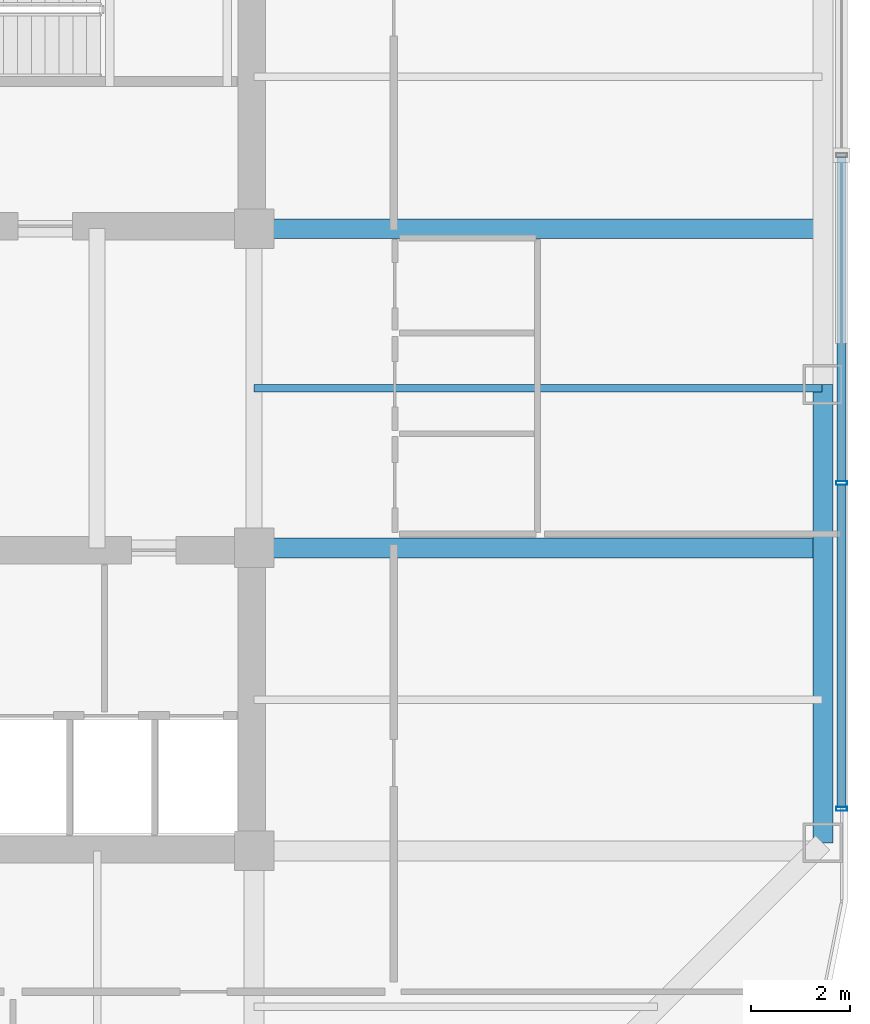
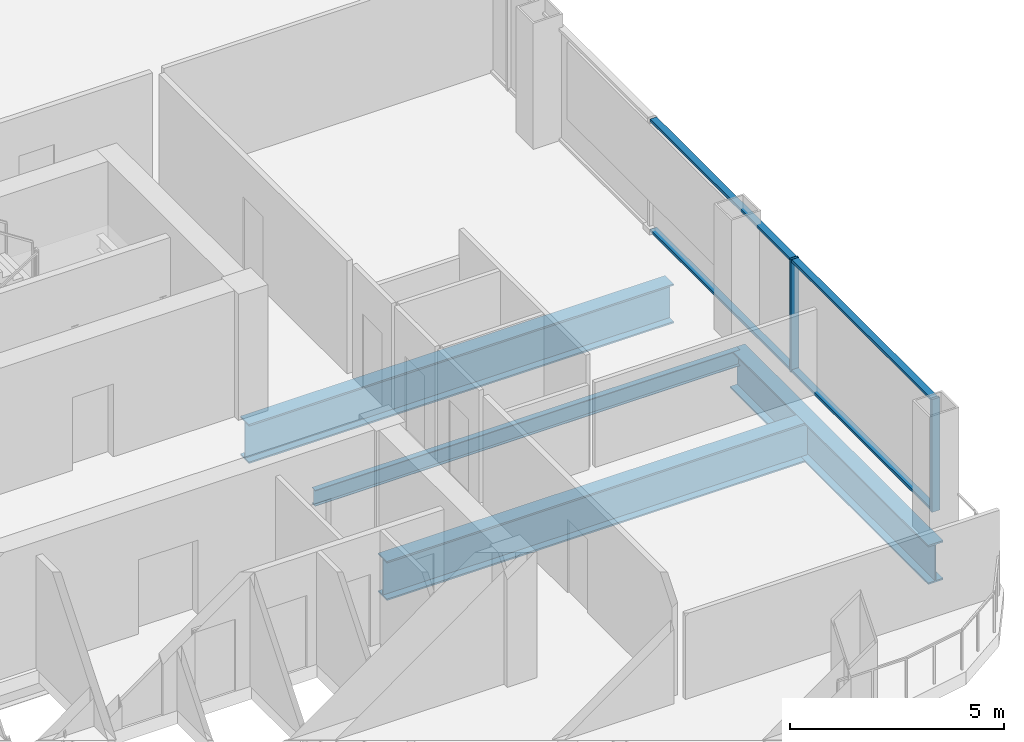
# One storey, part 7 of 20: 6 members, 4 beams, 1 element without a shape of its own.
"""IFC4 building model written with IfcOpenShell, lengths in metres."""

from ifc_helpers import new_model, si_unit, direction, frame, origin, origin_2d, place, context, subcontext, project, spatial, hollow_rectangle, i_section, extrude, material, layer, layer_set, material_profile, profile_set, type_object, element, aggregate, save


model = new_model("IFC4")

# Units and contexts
model_context = context("Model", 3, precision=1e-05, world=origin(), true_north=direction((0.0, 1.0)))
body_context = subcontext(model_context, "Body", "Model", "MODEL_VIEW")
ifc_project = project(units=[si_unit("LENGTHUNIT", "METRE"), si_unit("AREAUNIT", "SQUARE_METRE"), si_unit("VOLUMEUNIT", "CUBIC_METRE"), si_unit("PLANEANGLEUNIT", "RADIAN"), si_unit("MASSUNIT", "GRAM", prefix="KILO")], contexts=[model_context])

# Site, building, storey
site_placement = place(None, origin())
site = spatial("IfcSite", under=ifc_project, at=site_placement, CompositionType="ELEMENT")
building_placement = place(site_placement, origin())
building = spatial("IfcBuilding", under=site, at=building_placement, Name="Qhalaya Broadcast Tower", CompositionType="ELEMENT")
storey_placement = place(building_placement, frame((0.0, 0.0, 104.85009765625)))
storey = spatial("IfcBuildingStorey", under=building, at=storey_placement, Name="L30", CompositionType="ELEMENT", Elevation=104.85009765625)

# Beams
ifc_material_1 = material(Name="Structural Steel ASTM A992 Grade 50", Category="steel")
ifc_material_profile_1 = material_profile(ifc_material_1, i_section(OverallWidth=0.154052734375, OverallDepth=0.458984375, WebThickness=0.009033203125, FlangeThickness=0.015380859375, at=origin_2d()), Name="W18X46")
ifc_profile_set_1 = profile_set([ifc_material_profile_1], Name="Structural Steel ASTM A992 Grade 50")
beam_type_1 = type_object("IfcBeamType", Name="Composite Floor Joist J04", PredefinedType="JOIST", material=ifc_profile_set_1)
beam_1_placement = place(storey_placement, frame((9.375, 0.60009765625, -0.609619140625), z_axis=(1.0, 0.0, 0.0), x_axis=(0.0, 1.0, 0.0)))
element("IfcBeam", 1, at=beam_1_placement, inside=storey, type_object=beam_type_1, Name="L30 J04 L30-JWE4E-1", PredefinedType="JOIST", context=body_context, shape_type="SweptSolid", body=[
    extrude(i_section(OverallWidth=0.154052734375, OverallDepth=0.458984375, WebThickness=0.009033203125, FlangeThickness=0.015380859375, at=origin_2d()), origin(), (0.0, 0.0, 1.0), 11.47509765625),
])
ifc_material_profile_2 = material_profile(ifc_material_1, i_section(OverallWidth=0.404052734375, OverallDepth=1.117919921875, WebThickness=0.026123046875, FlangeThickness=0.044921875, at=origin_2d()), Name="W44X335")
ifc_profile_set_2 = profile_set([ifc_material_profile_2], Name="Structural Steel ASTM A992 Grade 50")
beam_type_2 = type_object("IfcBeamType", Name="Podium Long-Span Primary Girder PG1", PredefinedType="USERDEFINED", material=ifc_profile_set_2)
beam_2_placement = place(storey_placement, frame((20.8701171875, -8.590087890625, -0.939208984375), z_axis=(0.0, 1.0, 0.0), x_axis=(-1.0, 0.0, 0.0)))
element("IfcBeam", 2, at=beam_2_placement, inside=storey, type_object=beam_type_2, Name="L30 PG1 L30-SPR-05", ObjectType="GIRDER", PredefinedType="USERDEFINED", context=body_context, shape_type="SweptSolid", body=[
    extrude(i_section(OverallWidth=0.404052734375, OverallDepth=1.117919921875, WebThickness=0.026123046875, FlangeThickness=0.044921875, at=origin_2d()), origin(), (0.0, 0.0, 1.0), 9.266845703125),
])
for number, where, z_axis, x_axis, name in (
    (3, (9.375, -2.625, -0.939208984375), (1.0, 0.0, 0.0), (0.0, 1.0, 0.0), "L30 PG1 L30-PGYE2-1"),
    (4, (9.375, 3.824951171875, -0.939208984375), (1.0, 0.0, 0.0), (0.0, 1.0, 0.0), "L30 PG1 L30-PGYE3-1"),
):
    element("IfcBeam", number, at=place(storey_placement, frame(where, z_axis=z_axis, x_axis=x_axis)), inside=storey, type_object=beam_type_2, Name=name, ObjectType="GIRDER", PredefinedType="USERDEFINED", context=body_context, shape_type="SweptSolid", body=[
        extrude(i_section(OverallWidth=0.404052734375, OverallDepth=1.117919921875, WebThickness=0.026123046875, FlangeThickness=0.044921875, at=origin_2d()), origin(), (0.0, 0.0, 1.0), 11.47509765625),
    ])

# Curtain wall, members
ifc_material_2 = material(Name="Solar-Control Low-E Triple Glazing", Category="glass")
ifc_layer = layer(ifc_material_2, 0.219970703125, Name="Solar-Control Low-E Triple Glazing")
ifc_layer_set = layer_set([ifc_layer], Name="Solar-Control Low-E Triple Glazing")
curtain_wall_type = type_object("IfcCurtainWallType", Name="Recessed Sky-Garden Neck Ribbon Curtain Wall CW-05", PredefinedType="NOTDEFINED", material=ifc_layer_set)
curtain_wall_placement = place(storey_placement, origin())
curtain_wall = element("IfcCurtainWall", 5, at=curtain_wall_placement, inside=storey, type_object=curtain_wall_type, Name="L30 Unitised Curtain Wall L30-CW-E", PredefinedType="NOTDEFINED")
ifc_material_3 = material(Name="Anodised Aluminium 6063-T6", Category="aluminium")
ifc_material_profile_3 = material_profile(ifc_material_3, hollow_rectangle(XDim=0.074951171875, YDim=0.219970703125, WallThickness=0.00390625, at=origin_2d()), Name="ALU-MUL 75x220x4")
ifc_profile_set_3 = profile_set([ifc_material_profile_3], Name="Anodised Aluminium 6063-T6")
member_type_1 = type_object("IfcMemberType", Name="Unitised Curtain-Wall Mullion M01", PredefinedType="MULLION", material=ifc_profile_set_3)
member_1_placement = place(storey_placement, frame((21.25, -7.902587890625, 0.0), z_axis=(0.0, 0.0, 1.0), x_axis=(0.0, 1.0, 0.0)))
member_1 = element("IfcMember", 6, at=member_1_placement, type_object=member_type_1, Name="CW-05 mullion 1", PredefinedType="MULLION", context=body_context, shape_type="SweptSolid", body=[
    extrude(hollow_rectangle(XDim=0.074951171875, YDim=0.219970703125, WallThickness=0.00390625, at=origin_2d()), origin(), (0.0, 0.0, 1.0), 3.219970703125),
])
member_2_placement = place(storey_placement, frame((21.25, -1.31494140625, 0.0), z_axis=(0.0, 0.0, 1.0), x_axis=(0.0, 1.0, 0.0)))
member_2 = element("IfcMember", 7, at=member_2_placement, type_object=member_type_1, Name="CW-05 mullion 2", PredefinedType="MULLION", context=body_context, shape_type="SweptSolid", body=[
    extrude(hollow_rectangle(XDim=0.074951171875, YDim=0.219970703125, WallThickness=0.00390625, at=origin_2d()), origin(), (0.0, 0.0, 1.0), 3.219970703125),
])
ifc_material_profile_4 = material_profile(ifc_material_3, hollow_rectangle(XDim=0.074951171875, YDim=0.179931640625, WallThickness=0.00390625, at=origin_2d()), Name="ALU-TRN 75x180x4")
ifc_profile_set_4 = profile_set([ifc_material_profile_4], Name="Anodised Aluminium 6063-T6")
member_type_2 = type_object("IfcMemberType", Name="Unitised Curtain-Wall Transom T01", PredefinedType="USERDEFINED", material=ifc_profile_set_4)
member_3_placement = place(storey_placement, frame((21.25, -7.864990234375, 0.037353515625), z_axis=(0.0, 1.0, 0.0), x_axis=(0.0, 0.0, 1.0)))
member_3 = element("IfcMember", 8, at=member_3_placement, type_object=member_type_2, Name="CW-05 transom 1.1", ObjectType="TRANSOM", PredefinedType="USERDEFINED", context=body_context, shape_type="SweptSolid", body=[
    extrude(hollow_rectangle(XDim=0.074951171875, YDim=0.179931640625, WallThickness=0.00390625, at=origin_2d()), origin(), (0.0, 0.0, 1.0), 6.512451171875),
])
member_4_placement = place(storey_placement, frame((21.25, -7.864990234375, 3.182373046875), z_axis=(0.0, 1.0, 0.0), x_axis=(0.0, 0.0, 1.0)))
member_4 = element("IfcMember", 9, at=member_4_placement, type_object=member_type_2, Name="CW-05 transom 1.2", ObjectType="TRANSOM", PredefinedType="USERDEFINED", context=body_context, shape_type="SweptSolid", body=[
    extrude(hollow_rectangle(XDim=0.074951171875, YDim=0.179931640625, WallThickness=0.00390625, at=origin_2d()), origin(), (0.0, 0.0, 1.0), 6.512451171875),
])
member_5_placement = place(storey_placement, frame((21.25, -1.277587890625, 0.037353515625), z_axis=(0.0, 1.0, 0.0), x_axis=(0.0, 0.0, 1.0)))
member_5 = element("IfcMember", 10, at=member_5_placement, type_object=member_type_2, Name="CW-05 transom 2.1", ObjectType="TRANSOM", PredefinedType="USERDEFINED", context=body_context, shape_type="SweptSolid", body=[
    extrude(hollow_rectangle(XDim=0.074951171875, YDim=0.179931640625, WallThickness=0.00390625, at=origin_2d()), origin(), (0.0, 0.0, 1.0), 6.550048828125),
])
member_6_placement = place(storey_placement, frame((21.25, -1.277587890625, 3.182373046875), z_axis=(0.0, 1.0, 0.0), x_axis=(0.0, 0.0, 1.0)))
member_6 = element("IfcMember", 11, at=member_6_placement, type_object=member_type_2, Name="CW-05 transom 2.2", ObjectType="TRANSOM", PredefinedType="USERDEFINED", context=body_context, shape_type="SweptSolid", body=[
    extrude(hollow_rectangle(XDim=0.074951171875, YDim=0.179931640625, WallThickness=0.00390625, at=origin_2d()), origin(), (0.0, 0.0, 1.0), 6.550048828125),
])
aggregate(curtain_wall, [member_1, member_2, member_3, member_4, member_5, member_6])

save(model, "model.ifc")
